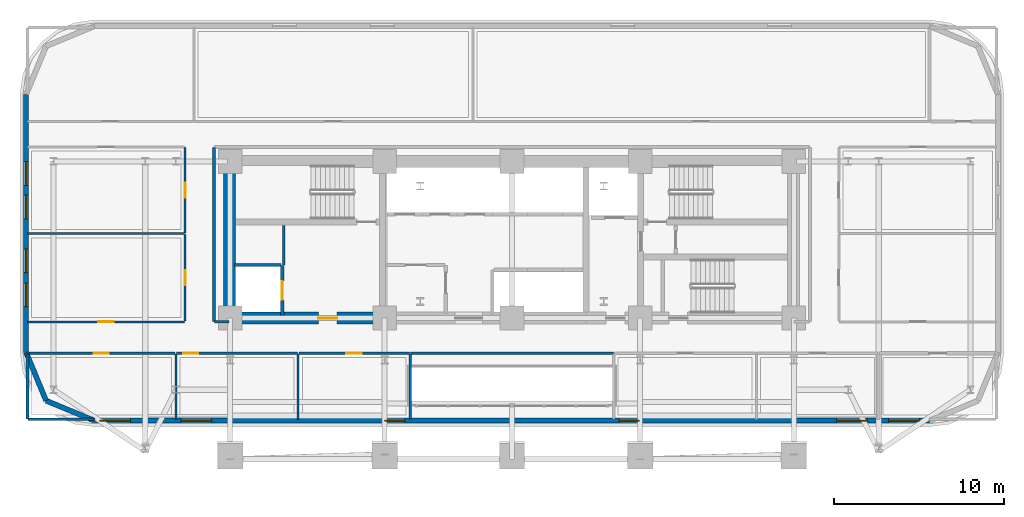
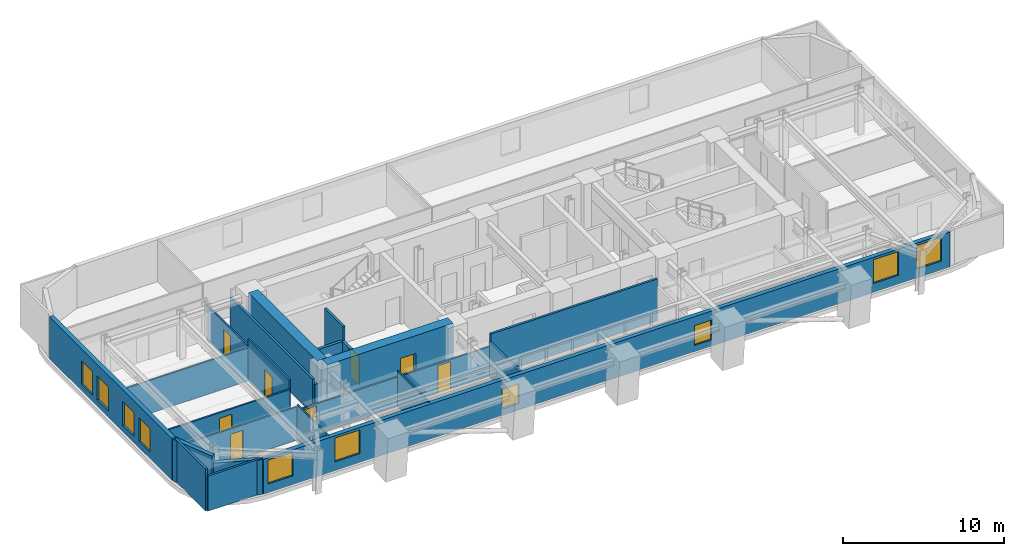
# One storey, part 7 of 15: 24 walls, 10 windows, 8 doors, 18 openings.
"""IFC4 building model written with IfcOpenShell, lengths in metres."""

from ifc_helpers import new_model, si_unit, direction, frame, frame_2d, origin, place, context, subcontext, project, spatial, rectangle, extrude, material, layer, layer_set, type_object, element, fill, save


model = new_model("IFC4")

# Units and contexts
model_context = context("Model", 3, precision=1e-05, world=origin(), true_north=direction((0.0, 1.0)))
body_context = subcontext(model_context, "Body", "Model", "MODEL_VIEW")
ifc_project = project(units=[si_unit("LENGTHUNIT", "METRE"), si_unit("AREAUNIT", "SQUARE_METRE"), si_unit("VOLUMEUNIT", "CUBIC_METRE"), si_unit("PLANEANGLEUNIT", "RADIAN"), si_unit("MASSUNIT", "GRAM", prefix="KILO")], contexts=[model_context])

# Site, building, storey
site_placement = place(None, origin())
site = spatial("IfcSite", under=ifc_project, at=site_placement, CompositionType="ELEMENT")
building_placement = place(site_placement, origin())
building = spatial("IfcBuilding", under=site, at=building_placement, Name="Zarnavel Station Tower", CompositionType="ELEMENT")
storey_placement = place(building_placement, frame((0.0, 0.0, 71.0)))
storey = spatial("IfcBuildingStorey", under=building, at=storey_placement, Name="L19", CompositionType="ELEMENT", Elevation=71.0)

# Wall, opening, door
ifc_material_1 = material(Name="Concrete C60/75", Category="concrete")
ifc_layer_1 = layer(ifc_material_1, 0.699951171875)
ifc_layer_set_1 = layer_set([ifc_layer_1], Name="CW_700")
wall_type_1 = type_object("IfcWallType", Name="CW_700", PredefinedType="SHEAR", material=ifc_layer_set_1)
wall_1_placement = place(storey_placement, frame((21.179931640625, 27.820068359375, 0.0), z_axis=(0.0, 0.0, 1.0), x_axis=(-1.0, 0.0, 0.0)))
wall_1 = element("IfcWall", 1, at=wall_1_placement, inside=storey, type_object=wall_type_1, Name="L19 Rear Core Shear Wall S-W", PredefinedType="SHEAR", context=body_context, shape_type="SweptSolid", body=[
    extrude(rectangle(XDim=9.030029296875, YDim=0.699951171875, at=frame_2d((4.51513671875, 0.0))), origin(), (0.0, 0.0, 1.0), 3.5),
])
opening_1_placement = place(wall_1_placement, frame((2.679931640625, 0.0, 0.0)))
opening_1 = element("IfcOpeningElement", 2, at=opening_1_placement, cuts=wall_1, Name="Opening FD01", PredefinedType="OPENING", context=body_context, shape_type="SweptSolid", body=[
    extrude(rectangle(XDim=1.10009765625, YDim=2.14990234375, at=frame_2d((0.550048828125, 1.074951171875))), frame((0.0, 0.35986328125, 0.0), z_axis=(0.0, -1.0, 0.0), x_axis=(1.0, 0.0, 0.0)), (0.0, 0.0, 1.0), 0.719970703125),
])
ifc_material_2 = material(Name="Painted Galvanised Steel and Hardwood Leaf", Category="steel")
door_type_1 = type_object("IfcDoorType", Name="ID_STAIR_1100", OperationType="NOTDEFINED", PredefinedType="DOOR", material=ifc_material_2)
door_1_placement = place(opening_1_placement, origin())
door_1 = element("IfcDoor", 3, at=door_1_placement, inside=storey, type_object=door_type_1, Name="L19 West Firefighting Lobby Door", OperationType="SINGLE_SWING_RIGHT", OverallHeight=2.14990234375, OverallWidth=1.10009765625, PredefinedType="DOOR", context=body_context, shape_type="SweptSolid", body=[
    extrude(rectangle(XDim=1.10009765625, YDim=2.14990234375, at=frame_2d((0.550048828125, 1.074951171875))), frame((0.0, 0.02490234375, 0.0), z_axis=(0.0, -1.0, 0.0), x_axis=(1.0, 0.0, 0.0)), (0.0, 0.0, 1.0), 0.050048828125),
])
fill(opening_1, door_1)

# Wall
wall_2_placement = place(storey_placement, frame((12.14990234375, 28.169921875, 0.0), z_axis=(0.0, 0.0, 1.0), x_axis=(0.0, 1.0, 0.0)))
element("IfcWall", 4, at=wall_2_placement, inside=storey, type_object=wall_type_1, Name="L19 Rear Core Shear Wall W", PredefinedType="SHEAR", context=body_context, shape_type="SweptSolid", body=[
    extrude(rectangle(XDim=8.530029296875, YDim=0.699951171875, at=frame_2d((4.26513671875, 0.0))), origin(), (0.0, 0.0, 1.0), 3.5),
])

# Wall, openings, windows
ifc_material_3 = material(Name="Precast concrete C45/55 (Dark Basalt Finish)", Category="masonry")
ifc_layer_2 = layer(ifc_material_3, 0.300048828125)
ifc_layer_set_2 = layer_set([ifc_layer_2], Name="EW_BASALT_300")
wall_type_2 = type_object("IfcWallType", Name="EW_BASALT_300", PredefinedType="SOLIDWALL", material=ifc_layer_set_2)
wall_3_placement = place(storey_placement, frame((0.179931640625, 25.800048828125, 0.0), z_axis=(0.0, 0.0, 1.0), x_axis=(0.0, 1.0, 0.0)))
wall_3 = element("IfcWall", 5, at=wall_3_placement, inside=storey, type_object=wall_type_2, Name="L19 Exterior Basalt Masonry Frame Wall 09", PredefinedType="SOLIDWALL", context=body_context, shape_type="SweptSolid", body=[
    extrude(rectangle(XDim=15.199951171875, YDim=0.300048828125, at=frame_2d((7.60009765625, 0.0))), origin(), (0.0, 0.0, 1.0), 3.179931640625),
])
opening_2_placement = place(wall_3_placement, frame((2.699951171875, 0.0, 0.47998046875)))
opening_2 = element("IfcOpeningElement", 6, at=opening_2_placement, cuts=wall_3, Name="Opening WN01", PredefinedType="OPENING", context=body_context, shape_type="SweptSolid", body=[
    extrude(rectangle(XDim=1.39990234375, YDim=1.800048828125, at=frame_2d((0.699951171875, 0.89990234375))), frame((0.0, 0.159912109375, 0.0), z_axis=(0.0, -1.0, 0.0), x_axis=(1.0, 0.0, 0.0)), (0.0, 0.0, 1.0), 0.320068359375),
])
opening_3_placement = place(wall_3_placement, frame((4.699951171875, 0.0, 0.47998046875)))
opening_3 = element("IfcOpeningElement", 7, at=opening_3_placement, cuts=wall_3, Name="Opening WN01", PredefinedType="OPENING", context=body_context, shape_type="SweptSolid", body=[
    extrude(rectangle(XDim=1.39990234375, YDim=1.800048828125, at=frame_2d((0.699951171875, 0.89990234375))), frame((0.0, 0.159912109375, 0.0), z_axis=(0.0, -1.0, 0.0), x_axis=(1.0, 0.0, 0.0)), (0.0, 0.0, 1.0), 0.320068359375),
])
opening_4_placement = place(wall_3_placement, frame((7.86669921875, 0.0, 0.47998046875)))
opening_4 = element("IfcOpeningElement", 8, at=opening_4_placement, cuts=wall_3, Name="Opening WN01", PredefinedType="OPENING", context=body_context, shape_type="SweptSolid", body=[
    extrude(rectangle(XDim=1.39990234375, YDim=1.800048828125, at=frame_2d((0.699951171875, 0.89990234375))), frame((0.0, 0.159912109375, 0.0), z_axis=(0.0, -1.0, 0.0), x_axis=(1.0, 0.0, 0.0)), (0.0, 0.0, 1.0), 0.320068359375),
])
opening_5_placement = place(wall_3_placement, frame((9.833251953125, 0.0, 0.47998046875)))
opening_5 = element("IfcOpeningElement", 9, at=opening_5_placement, cuts=wall_3, Name="Opening WN01", PredefinedType="OPENING", context=body_context, shape_type="SweptSolid", body=[
    extrude(rectangle(XDim=1.39990234375, YDim=1.800048828125, at=frame_2d((0.699951171875, 0.89990234375))), frame((0.0, 0.159912109375, 0.0), z_axis=(0.0, -1.0, 0.0), x_axis=(1.0, 0.0, 0.0)), (0.0, 0.0, 1.0), 0.320068359375),
])
ifc_material_4 = material(Name="Thermally Broken Black Aluminium and Low-E Dark Glass", Category="aluminium")
window_type_1 = type_object("IfcWindowType", Name="WN_1400x1800", PartitioningType="DOUBLE_PANEL_VERTICAL", PredefinedType="WINDOW", material=ifc_material_4)
window_1_placement = place(opening_2_placement, origin())
window_1 = element("IfcWindow", 10, at=window_1_placement, inside=storey, type_object=window_type_1, Name="L19 Recessed Facade Window 01", OverallHeight=1.800048828125, OverallWidth=1.39990234375, PartitioningType="SINGLE_PANEL", PredefinedType="WINDOW", context=body_context, shape_type="SweptSolid", body=[
    extrude(rectangle(XDim=1.39990234375, YDim=1.800048828125, at=frame_2d((0.699951171875, 0.89990234375))), frame((0.0, 0.030029296875, 0.0), z_axis=(0.0, -1.0, 0.0), x_axis=(1.0, 0.0, 0.0)), (0.0, 0.0, 1.0), 0.06005859375),
])
fill(opening_2, window_1)
window_2_placement = place(opening_3_placement, origin())
window_2 = element("IfcWindow", 11, at=window_2_placement, inside=storey, type_object=window_type_1, Name="L19 Recessed Facade Window 02", OverallHeight=1.800048828125, OverallWidth=1.39990234375, PartitioningType="SINGLE_PANEL", PredefinedType="WINDOW", context=body_context, shape_type="SweptSolid", body=[
    extrude(rectangle(XDim=1.39990234375, YDim=1.800048828125, at=frame_2d((0.699951171875, 0.89990234375))), frame((0.0, 0.030029296875, 0.0), z_axis=(0.0, -1.0, 0.0), x_axis=(1.0, 0.0, 0.0)), (0.0, 0.0, 1.0), 0.06005859375),
])
fill(opening_3, window_2)
window_3_placement = place(opening_4_placement, origin())
window_3 = element("IfcWindow", 12, at=window_3_placement, inside=storey, type_object=window_type_1, Name="L19 Recessed Facade Window 03", OverallHeight=1.800048828125, OverallWidth=1.39990234375, PartitioningType="SINGLE_PANEL", PredefinedType="WINDOW", context=body_context, shape_type="SweptSolid", body=[
    extrude(rectangle(XDim=1.39990234375, YDim=1.800048828125, at=frame_2d((0.699951171875, 0.89990234375))), frame((0.0, 0.030029296875, 0.0), z_axis=(0.0, -1.0, 0.0), x_axis=(1.0, 0.0, 0.0)), (0.0, 0.0, 1.0), 0.06005859375),
])
fill(opening_4, window_3)
window_4_placement = place(opening_5_placement, origin())
window_4 = element("IfcWindow", 13, at=window_4_placement, inside=storey, type_object=window_type_1, Name="L19 Recessed Facade Window 04", OverallHeight=1.800048828125, OverallWidth=1.39990234375, PartitioningType="SINGLE_PANEL", PredefinedType="WINDOW", context=body_context, shape_type="SweptSolid", body=[
    extrude(rectangle(XDim=1.39990234375, YDim=1.800048828125, at=frame_2d((0.699951171875, 0.89990234375))), frame((0.0, 0.030029296875, 0.0), z_axis=(0.0, -1.0, 0.0), x_axis=(1.0, 0.0, 0.0)), (0.0, 0.0, 1.0), 0.06005859375),
])
fill(opening_5, window_4)

# Walls
wall_4_placement = place(storey_placement, frame((1.357421875, 22.95751953125, 0.0), z_axis=(0.0, 0.0, 1.0), x_axis=(-0.382704529509, 0.923870793506, 0.0)))
element("IfcWall", 14, at=wall_4_placement, inside=storey, type_object=wall_type_2, Name="L19 Exterior Basalt Masonry Frame Wall 10", PredefinedType="SOLIDWALL", context=body_context, shape_type="SweptSolid", body=[
    extrude(rectangle(XDim=3.07666015625, YDim=0.300048828125, at=frame_2d((1.538330078125, 0.0))), origin(), (0.0, 0.0, 1.0), 3.179931640625),
])
wall_5_placement = place(storey_placement, frame((4.199951171875, 21.780029296875, 0.0), z_axis=(0.0, 0.0, 1.0), x_axis=(-0.923870793506, 0.382704529509, 0.0)))
element("IfcWall", 15, at=wall_5_placement, inside=storey, type_object=wall_type_2, Name="L19 Exterior Basalt Masonry Frame Wall 11", PredefinedType="SOLIDWALL", context=body_context, shape_type="SweptSolid", body=[
    extrude(rectangle(XDim=3.07666015625, YDim=0.300048828125, at=frame_2d((1.538330078125, 0.0))), origin(), (0.0, 0.0, 1.0), 2.659912109375),
])

# Wall, openings, windows
wall_6_placement = place(storey_placement, frame((53.39990234375, 21.780029296875, 0.0), z_axis=(0.0, 0.0, 1.0), x_axis=(-1.0, 0.0, 0.0)))
wall_6 = element("IfcWall", 16, at=wall_6_placement, inside=storey, type_object=wall_type_2, Name="L19 Exterior Basalt Masonry Frame Wall 12", PredefinedType="SOLIDWALL", context=body_context, shape_type="SweptSolid", body=[
    extrude(rectangle(XDim=49.199951171875, YDim=0.300048828125, at=frame_2d((24.60009765625, 0.0))), origin(), (0.0, 0.0, 1.0), 2.659912109375),
])
opening_6_placement = place(wall_6_placement, frame((47.080078125, 0.0, 0.679931640625)))
opening_6 = element("IfcOpeningElement", 17, at=opening_6_placement, cuts=wall_6, Name="Opening WN02", PredefinedType="OPENING", context=body_context, shape_type="SweptSolid", body=[
    extrude(rectangle(XDim=1.800048828125, YDim=1.800048828125, at=frame_2d((0.89990234375, 0.89990234375))), frame((0.0, 0.159912109375, 0.0), z_axis=(0.0, -1.0, 0.0), x_axis=(1.0, 0.0, 0.0)), (0.0, 0.0, 1.0), 0.320068359375),
])
opening_7_placement = place(wall_6_placement, frame((42.300048828125, 0.0, 0.679931640625)))
opening_7 = element("IfcOpeningElement", 18, at=opening_7_placement, cuts=wall_6, Name="Opening WN02", PredefinedType="OPENING", context=body_context, shape_type="SweptSolid", body=[
    extrude(rectangle(XDim=1.800048828125, YDim=1.800048828125, at=frame_2d((0.89990234375, 0.89990234375))), frame((0.0, 0.159912109375, 0.0), z_axis=(0.0, -1.0, 0.0), x_axis=(1.0, 0.0, 0.0)), (0.0, 0.0, 1.0), 0.320068359375),
])
opening_8_placement = place(wall_6_placement, frame((30.89990234375, 0.0, 0.47998046875)))
opening_8 = element("IfcOpeningElement", 19, at=opening_8_placement, cuts=wall_6, Name="Opening WN08", PredefinedType="OPENING", context=body_context, shape_type="SweptSolid", body=[
    extrude(rectangle(XDim=1.199951171875, YDim=1.5, at=frame_2d((0.60009765625, 0.75))), frame((0.0, 0.159912109375, 0.0), z_axis=(0.0, -1.0, 0.0), x_axis=(1.0, 0.0, 0.0)), (0.0, 0.0, 1.0), 0.320068359375),
])
opening_9_placement = place(wall_6_placement, frame((17.10009765625, 0.0, 0.47998046875)))
opening_9 = element("IfcOpeningElement", 20, at=opening_9_placement, cuts=wall_6, Name="Opening WN08", PredefinedType="OPENING", context=body_context, shape_type="SweptSolid", body=[
    extrude(rectangle(XDim=1.199951171875, YDim=1.5, at=frame_2d((0.60009765625, 0.75))), frame((0.0, 0.159912109375, 0.0), z_axis=(0.0, -1.0, 0.0), x_axis=(1.0, 0.0, 0.0)), (0.0, 0.0, 1.0), 0.320068359375),
])
opening_10_placement = place(wall_6_placement, frame((3.68408203125, 0.0, 0.679931640625)))
opening_10 = element("IfcOpeningElement", 21, at=opening_10_placement, cuts=wall_6, Name="Opening WN02", PredefinedType="OPENING", context=body_context, shape_type="SweptSolid", body=[
    extrude(rectangle(XDim=1.800048828125, YDim=1.800048828125, at=frame_2d((0.89990234375, 0.89990234375))), frame((0.0, 0.159912109375, 0.0), z_axis=(0.0, -1.0, 0.0), x_axis=(1.0, 0.0, 0.0)), (0.0, 0.0, 1.0), 0.320068359375),
])
opening_11_placement = place(wall_6_placement, frame((0.610107421875, 0.0, 0.679931640625)))
opening_11 = element("IfcOpeningElement", 22, at=opening_11_placement, cuts=wall_6, Name="Opening WN02", PredefinedType="OPENING", context=body_context, shape_type="SweptSolid", body=[
    extrude(rectangle(XDim=1.800048828125, YDim=1.800048828125, at=frame_2d((0.89990234375, 0.89990234375))), frame((0.0, 0.159912109375, 0.0), z_axis=(0.0, -1.0, 0.0), x_axis=(1.0, 0.0, 0.0)), (0.0, 0.0, 1.0), 0.320068359375),
])
ifc_material_5 = material(Name="Thermally Broken Black Aluminium and Low-E Dark Glass", Category="aluminium")
window_type_2 = type_object("IfcWindowType", Name="WN_1200x1500", PartitioningType="SINGLE_PANEL", PredefinedType="WINDOW", material=ifc_material_5)
window_5_placement = place(opening_8_placement, origin())
window_5 = element("IfcWindow", 23, at=window_5_placement, inside=storey, type_object=window_type_2, Name="L19 Recessed Facade Window 03", OverallHeight=1.5, OverallWidth=1.199951171875, PartitioningType="SINGLE_PANEL", PredefinedType="WINDOW", context=body_context, shape_type="SweptSolid", body=[
    extrude(rectangle(XDim=1.199951171875, YDim=1.5, at=frame_2d((0.60009765625, 0.75))), frame((0.0, 0.030029296875, 0.0), z_axis=(0.0, -1.0, 0.0), x_axis=(1.0, 0.0, 0.0)), (0.0, 0.0, 1.0), 0.06005859375),
])
fill(opening_8, window_5)
window_6_placement = place(opening_9_placement, origin())
window_6 = element("IfcWindow", 24, at=window_6_placement, inside=storey, type_object=window_type_2, Name="L19 Recessed Facade Window 04", OverallHeight=1.5, OverallWidth=1.199951171875, PartitioningType="SINGLE_PANEL", PredefinedType="WINDOW", context=body_context, shape_type="SweptSolid", body=[
    extrude(rectangle(XDim=1.199951171875, YDim=1.5, at=frame_2d((0.60009765625, 0.75))), frame((0.0, 0.030029296875, 0.0), z_axis=(0.0, -1.0, 0.0), x_axis=(1.0, 0.0, 0.0)), (0.0, 0.0, 1.0), 0.06005859375),
])
fill(opening_9, window_6)
ifc_material_6 = material(Name="Thermally Broken Black Aluminium and Low-E Dark Glass", Category="aluminium")
window_type_3 = type_object("IfcWindowType", Name="WN_1800x1800", PartitioningType="DOUBLE_PANEL_VERTICAL", PredefinedType="WINDOW", material=ifc_material_6)
window_7_placement = place(opening_6_placement, origin())
window_7 = element("IfcWindow", 25, at=window_7_placement, inside=storey, type_object=window_type_3, Name="L19 Recessed Facade Window 01", OverallHeight=1.800048828125, OverallWidth=1.800048828125, PartitioningType="SINGLE_PANEL", PredefinedType="WINDOW", context=body_context, shape_type="SweptSolid", body=[
    extrude(rectangle(XDim=1.800048828125, YDim=1.800048828125, at=frame_2d((0.89990234375, 0.89990234375))), frame((0.0, 0.030029296875, 0.0), z_axis=(0.0, -1.0, 0.0), x_axis=(1.0, 0.0, 0.0)), (0.0, 0.0, 1.0), 0.06005859375),
])
fill(opening_6, window_7)
window_8_placement = place(opening_7_placement, origin())
window_8 = element("IfcWindow", 26, at=window_8_placement, inside=storey, type_object=window_type_3, Name="L19 Recessed Facade Window 02", OverallHeight=1.800048828125, OverallWidth=1.800048828125, PartitioningType="SINGLE_PANEL", PredefinedType="WINDOW", context=body_context, shape_type="SweptSolid", body=[
    extrude(rectangle(XDim=1.800048828125, YDim=1.800048828125, at=frame_2d((0.89990234375, 0.89990234375))), frame((0.0, 0.030029296875, 0.0), z_axis=(0.0, -1.0, 0.0), x_axis=(1.0, 0.0, 0.0)), (0.0, 0.0, 1.0), 0.06005859375),
])
fill(opening_7, window_8)
window_9_placement = place(opening_10_placement, origin())
window_9 = element("IfcWindow", 27, at=window_9_placement, inside=storey, type_object=window_type_3, Name="L19 Recessed Facade Window 05", OverallHeight=1.800048828125, OverallWidth=1.800048828125, PartitioningType="SINGLE_PANEL", PredefinedType="WINDOW", context=body_context, shape_type="SweptSolid", body=[
    extrude(rectangle(XDim=1.800048828125, YDim=1.800048828125, at=frame_2d((0.89990234375, 0.89990234375))), frame((0.0, 0.030029296875, 0.0), z_axis=(0.0, -1.0, 0.0), x_axis=(1.0, 0.0, 0.0)), (0.0, 0.0, 1.0), 0.06005859375),
])
fill(opening_10, window_9)
window_10_placement = place(opening_11_placement, origin())
window_10 = element("IfcWindow", 28, at=window_10_placement, inside=storey, type_object=window_type_3, Name="L19 Recessed Facade Window 06", OverallHeight=1.800048828125, OverallWidth=1.800048828125, PartitioningType="SINGLE_PANEL", PredefinedType="WINDOW", context=body_context, shape_type="SweptSolid", body=[
    extrude(rectangle(XDim=1.800048828125, YDim=1.800048828125, at=frame_2d((0.89990234375, 0.89990234375))), frame((0.0, 0.030029296875, 0.0), z_axis=(0.0, -1.0, 0.0), x_axis=(1.0, 0.0, 0.0)), (0.0, 0.0, 1.0), 0.06005859375),
])
fill(opening_11, window_10)

# Walls
ifc_material_7 = material(Name="Gypsum Twin-Stud Acoustic Fire Partition", Category="concrete")
ifc_layer_3 = layer(ifc_material_7, 0.159912109375)
ifc_layer_set_3 = layer_set([ifc_layer_3], Name="PT_DEMISE_160")
wall_type_3 = type_object("IfcWallType", Name="PT_DEMISE_160", PredefinedType="PARTITIONING", material=ifc_layer_set_3)
wall_7_placement = place(storey_placement, frame((15.35009765625, 30.9599609375, 0.0), z_axis=(0.0, 0.0, 1.0), x_axis=(0.0, 1.0, 0.0)))
element("IfcWall", 29, at=wall_7_placement, inside=storey, type_object=wall_type_3, Name="L19 Enclosure Wall FFL1", PredefinedType="PARTITIONING", context=body_context, shape_type="SweptSolid", body=[
    extrude(rectangle(XDim=2.31005859375, YDim=0.159912109375, at=frame_2d((1.155029296875, 0.0))), origin(), (0.0, 0.0, 1.0), 3.179931640625),
])
wall_8_placement = place(storey_placement, frame((22.830078125, 25.75, 0.0), z_axis=(0.0, 0.0, 1.0), x_axis=(1.0, 0.0, 0.0)))
element("IfcWall", 30, at=wall_8_placement, inside=storey, type_object=wall_type_3, Name="L19 Enclosure Wall COR-S", PredefinedType="PARTITIONING", context=body_context, shape_type="SweptSolid", body=[
    extrude(rectangle(XDim=11.93994140625, YDim=0.159912109375, at=frame_2d((5.969970703125, 0.0))), origin(), (0.0, 0.0, 1.0), 3.179931640625),
])
wall_9_placement = place(storey_placement, frame((11.280029296875, 27.60009765625, 0.0), z_axis=(0.0, 0.0, 1.0), x_axis=(1.0, 0.0, 0.0)))
element("IfcWall", 31, at=wall_9_placement, inside=storey, type_object=wall_type_3, Name="L19 Enclosure Wall COR-S", PredefinedType="PARTITIONING", context=body_context, shape_type="SweptSolid", body=[
    extrude(rectangle(XDim=0.840087890625, YDim=0.159912109375, at=frame_2d((0.419921875, 0.0))), origin(), (0.0, 0.0, 1.0), 2.280029296875),
])
wall_10_placement = place(storey_placement, frame((11.25, 27.6298828125, 0.0), z_axis=(0.0, 0.0, 1.0), x_axis=(0.0, 1.0, 0.0)))
element("IfcWall", 32, at=wall_10_placement, inside=storey, type_object=wall_type_3, Name="L19 Enclosure Wall COR-W", PredefinedType="PARTITIONING", context=body_context, shape_type="SweptSolid", body=[
    extrude(rectangle(XDim=10.240234375, YDim=0.159912109375, at=frame_2d((5.1201171875, 0.0))), origin(), (0.0, 0.0, 1.0), 2.659912109375),
])
wall_11_placement = place(storey_placement, frame((0.2900390625, 21.860107421875, 0.0), z_axis=(0.0, 0.0, 1.0), x_axis=(1.0, 0.0, 0.0)))
element("IfcWall", 33, at=wall_11_placement, inside=storey, type_object=wall_type_3, Name="L19 Enclosure Wall Z1SPA", PredefinedType="PARTITIONING", context=body_context, shape_type="SweptSolid", body=[
    extrude(rectangle(XDim=3.8798828125, YDim=0.159912109375, at=frame_2d((1.93994140625, 0.0))), origin(), (0.0, 0.0, 1.0), 2.659912109375),
])
wall_12_placement = place(storey_placement, frame((0.260009765625, 21.889892578125, 0.0), z_axis=(0.0, 0.0, 1.0), x_axis=(0.0, 1.0, 0.0)))
element("IfcWall", 34, at=wall_12_placement, inside=storey, type_object=wall_type_3, Name="L19 Enclosure Wall Z1SPA", PredefinedType="PARTITIONING", context=body_context, shape_type="SweptSolid", body=[
    extrude(rectangle(XDim=3.830078125, YDim=0.159912109375, at=frame_2d((1.9150390625, 0.0))), origin(), (0.0, 0.0, 1.0), 3.179931640625),
])
wall_13_placement = place(storey_placement, frame((22.800048828125, 21.889892578125, 0.0), z_axis=(0.0, 0.0, 1.0), x_axis=(0.0, 1.0, 0.0)))
element("IfcWall", 35, at=wall_13_placement, inside=storey, type_object=wall_type_3, Name="L19 Enclosure Wall Z1GYM2", PredefinedType="PARTITIONING", context=body_context, shape_type="SweptSolid", body=[
    extrude(rectangle(XDim=3.830078125, YDim=0.159912109375, at=frame_2d((1.9150390625, 0.0))), origin(), (0.0, 0.0, 1.0), 2.6201171875),
])

# Wall, opening, door
ifc_material_8 = material(Name="Gypsum Metal-Stud Interior Partition", Category="concrete")
ifc_layer_4 = layer(ifc_material_8, 0.1201171875)
ifc_layer_set_4 = layer_set([ifc_layer_4], Name="PT_ROOM_120")
wall_type_4 = type_object("IfcWallType", Name="PT_ROOM_120", PredefinedType="PARTITIONING", material=ifc_layer_set_4)
wall_14_placement = place(storey_placement, frame((0.260009765625, 27.60009765625, 0.0), z_axis=(0.0, 0.0, 1.0), x_axis=(1.0, 0.0, 0.0)))
wall_14 = element("IfcWall", 36, at=wall_14_placement, inside=storey, type_object=wall_type_4, Name="L19 Partition COR-S-FNW6A", PredefinedType="PARTITIONING", context=body_context, shape_type="SweptSolid", body=[
    extrude(rectangle(XDim=9.25, YDim=0.1201171875, at=frame_2d((4.625, 0.0))), origin(), (0.0, 0.0, 1.0), 2.510009765625),
])
opening_12_placement = place(wall_14_placement, frame((4.175048828125, 0.0, 0.0)))
opening_12 = element("IfcOpeningElement", 37, at=opening_12_placement, cuts=wall_14, Name="Opening ID01", PredefinedType="OPENING", context=body_context, shape_type="SweptSolid", body=[
    extrude(rectangle(XDim=0.89990234375, YDim=2.10009765625, at=frame_2d((0.449951171875, 1.050048828125))), frame((0.0, 0.070068359375, 0.0), z_axis=(0.0, -1.0, 0.0), x_axis=(1.0, 0.0, 0.0)), (0.0, 0.0, 1.0), 0.14013671875),
])
ifc_material_9 = material(Name="Painted Galvanised Steel and Hardwood Leaf", Category="steel")
door_type_2 = type_object("IfcDoorType", Name="ID_ROOM_900", OperationType="NOTDEFINED", PredefinedType="DOOR", material=ifc_material_9)
door_2_placement = place(opening_12_placement, origin())
door_2 = element("IfcDoor", 38, at=door_2_placement, inside=storey, type_object=door_type_2, Name="L19 Door COR-S-FNW6A", OperationType="SINGLE_SWING_RIGHT", OverallHeight=2.10009765625, OverallWidth=0.89990234375, PredefinedType="DOOR", context=body_context, shape_type="SweptSolid", body=[
    extrude(rectangle(XDim=0.89990234375, YDim=2.10009765625, at=frame_2d((0.449951171875, 1.050048828125))), frame((0.0, 0.02490234375, 0.0), z_axis=(0.0, -1.0, 0.0), x_axis=(1.0, 0.0, 0.0)), (0.0, 0.0, 1.0), 0.050048828125),
])
fill(opening_12, door_2)

wall_15_placement = place(storey_placement, frame((0.260009765625, 25.75, 0.0), z_axis=(0.0, 0.0, 1.0), x_axis=(1.0, 0.0, 0.0)))
wall_15 = element("IfcWall", 39, at=wall_15_placement, inside=storey, type_object=wall_type_4, Name="L19 Partition COR-S-Z1SPA", PredefinedType="PARTITIONING", context=body_context, shape_type="SweptSolid", body=[
    extrude(rectangle(XDim=8.699951171875, YDim=0.1201171875, at=frame_2d((4.35009765625, 0.0))), origin(), (0.0, 0.0, 1.0), 2.510009765625),
])
opening_13_placement = place(wall_15_placement, frame((3.89990234375, 0.0, 0.0)))
opening_13 = element("IfcOpeningElement", 40, at=opening_13_placement, cuts=wall_15, Name="Opening ID01", PredefinedType="OPENING", context=body_context, shape_type="SweptSolid", body=[
    extrude(rectangle(XDim=0.89990234375, YDim=2.10009765625, at=frame_2d((0.449951171875, 1.050048828125))), frame((0.0, 0.070068359375, 0.0), z_axis=(0.0, -1.0, 0.0), x_axis=(1.0, 0.0, 0.0)), (0.0, 0.0, 1.0), 0.14013671875),
])
door_3_placement = place(opening_13_placement, origin())
door_3 = element("IfcDoor", 41, at=door_3_placement, inside=storey, type_object=door_type_2, Name="L19 Door COR-S-Z1SPA", OperationType="SINGLE_SWING_RIGHT", OverallHeight=2.10009765625, OverallWidth=0.89990234375, PredefinedType="DOOR", context=body_context, shape_type="SweptSolid", body=[
    extrude(rectangle(XDim=0.89990234375, YDim=2.10009765625, at=frame_2d((0.449951171875, 1.050048828125))), frame((0.0, 0.02490234375, 0.0), z_axis=(0.0, -1.0, 0.0), x_axis=(1.0, 0.0, 0.0)), (0.0, 0.0, 1.0), 0.050048828125),
])
fill(opening_13, door_3)

wall_16_placement = place(storey_placement, frame((9.0400390625, 25.75, 0.0), z_axis=(0.0, 0.0, 1.0), x_axis=(1.0, 0.0, 0.0)))
wall_16 = element("IfcWall", 42, at=wall_16_placement, inside=storey, type_object=wall_type_4, Name="L19 Partition COR-S-Z1TRM", PredefinedType="PARTITIONING", context=body_context, shape_type="SweptSolid", body=[
    extrude(rectangle(XDim=7.119873046875, YDim=0.1201171875, at=frame_2d((3.56005859375, 0.0))), origin(), (0.0, 0.0, 1.0), 2.25),
])
opening_14_placement = place(wall_16_placement, frame((0.387451171875, 0.0, 0.0)))
opening_14 = element("IfcOpeningElement", 43, at=opening_14_placement, cuts=wall_16, Name="Opening ID01", PredefinedType="OPENING", context=body_context, shape_type="SweptSolid", body=[
    extrude(rectangle(XDim=0.89990234375, YDim=2.10009765625, at=frame_2d((0.449951171875, 1.050048828125))), frame((0.0, 0.070068359375, 0.0), z_axis=(0.0, -1.0, 0.0), x_axis=(1.0, 0.0, 0.0)), (0.0, 0.0, 1.0), 0.14013671875),
])
door_4_placement = place(opening_14_placement, origin())
door_4 = element("IfcDoor", 44, at=door_4_placement, inside=storey, type_object=door_type_2, Name="L19 Door COR-S-Z1TRM", OperationType="SINGLE_SWING_LEFT", OverallHeight=2.10009765625, OverallWidth=0.89990234375, PredefinedType="DOOR", context=body_context, shape_type="SweptSolid", body=[
    extrude(rectangle(XDim=0.89990234375, YDim=2.10009765625, at=frame_2d((0.449951171875, 1.050048828125))), frame((0.0, 0.02490234375, 0.0), z_axis=(0.0, -1.0, 0.0), x_axis=(1.0, 0.0, 0.0)), (0.0, 0.0, 1.0), 0.050048828125),
])
fill(opening_14, door_4)

wall_17_placement = place(storey_placement, frame((16.239990234375, 25.75, 0.0), z_axis=(0.0, 0.0, 1.0), x_axis=(1.0, 0.0, 0.0)))
wall_17 = element("IfcWall", 45, at=wall_17_placement, inside=storey, type_object=wall_type_4, Name="L19 Partition COR-S-Z1GYM2", PredefinedType="PARTITIONING", context=body_context, shape_type="SweptSolid", body=[
    extrude(rectangle(XDim=6.52001953125, YDim=0.1201171875, at=frame_2d((3.260009765625, 0.0))), origin(), (0.0, 0.0, 1.0), 2.25),
])
opening_15_placement = place(wall_17_placement, frame((2.81005859375, 0.0, 0.0)))
opening_15 = element("IfcOpeningElement", 46, at=opening_15_placement, cuts=wall_17, Name="Opening ID01", PredefinedType="OPENING", context=body_context, shape_type="SweptSolid", body=[
    extrude(rectangle(XDim=0.89990234375, YDim=2.10009765625, at=frame_2d((0.449951171875, 1.050048828125))), frame((0.0, 0.070068359375, 0.0), z_axis=(0.0, -1.0, 0.0), x_axis=(1.0, 0.0, 0.0)), (0.0, 0.0, 1.0), 0.14013671875),
])
door_5_placement = place(opening_15_placement, origin())
door_5 = element("IfcDoor", 47, at=door_5_placement, inside=storey, type_object=door_type_2, Name="L19 Door COR-S-Z1GYM2", OperationType="SINGLE_SWING_RIGHT", OverallHeight=2.10009765625, OverallWidth=0.89990234375, PredefinedType="DOOR", context=body_context, shape_type="SweptSolid", body=[
    extrude(rectangle(XDim=0.89990234375, YDim=2.10009765625, at=frame_2d((0.449951171875, 1.050048828125))), frame((0.0, 0.02490234375, 0.0), z_axis=(0.0, -1.0, 0.0), x_axis=(1.0, 0.0, 0.0)), (0.0, 0.0, 1.0), 0.050048828125),
])
fill(opening_15, door_5)

wall_18_placement = place(storey_placement, frame((9.550048828125, 27.639892578125, 0.0), z_axis=(0.0, 0.0, 1.0), x_axis=(0.0, 1.0, 0.0)))
wall_18 = element("IfcWall", 48, at=wall_18_placement, inside=storey, type_object=wall_type_4, Name="L19 Partition COR-W-FNW6A", PredefinedType="PARTITIONING", context=body_context, shape_type="SweptSolid", body=[
    extrude(rectangle(XDim=5.1201171875, YDim=0.1201171875, at=frame_2d((2.56005859375, 0.0))), origin(), (0.0, 0.0, 1.0), 3.179931640625),
])
opening_16_placement = place(wall_18_placement, frame((2.110107421875, 0.0, 0.0)))
opening_16 = element("IfcOpeningElement", 49, at=opening_16_placement, cuts=wall_18, Name="Opening ID01", PredefinedType="OPENING", context=body_context, shape_type="SweptSolid", body=[
    extrude(rectangle(XDim=0.89990234375, YDim=2.10009765625, at=frame_2d((0.449951171875, 1.050048828125))), frame((0.0, 0.070068359375, 0.0), z_axis=(0.0, -1.0, 0.0), x_axis=(1.0, 0.0, 0.0)), (0.0, 0.0, 1.0), 0.14013671875),
])
door_6_placement = place(opening_16_placement, origin())
door_6 = element("IfcDoor", 50, at=door_6_placement, inside=storey, type_object=door_type_2, Name="L19 Door COR-W-FNW6A", OperationType="SINGLE_SWING_RIGHT", OverallHeight=2.10009765625, OverallWidth=0.89990234375, PredefinedType="DOOR", context=body_context, shape_type="SweptSolid", body=[
    extrude(rectangle(XDim=0.89990234375, YDim=2.10009765625, at=frame_2d((0.449951171875, 1.050048828125))), frame((0.0, 0.02490234375, 0.0), z_axis=(0.0, -1.0, 0.0), x_axis=(1.0, 0.0, 0.0)), (0.0, 0.0, 1.0), 0.050048828125),
])
fill(opening_16, door_6)

wall_19_placement = place(storey_placement, frame((9.550048828125, 32.840087890625, 0.0), z_axis=(0.0, 0.0, 1.0), x_axis=(0.0, 1.0, 0.0)))
wall_19 = element("IfcWall", 51, at=wall_19_placement, inside=storey, type_object=wall_type_4, Name="L19 Partition COR-W-FNW6B", PredefinedType="PARTITIONING", context=body_context, shape_type="SweptSolid", body=[
    extrude(rectangle(XDim=5.02001953125, YDim=0.1201171875, at=frame_2d((2.510009765625, 0.0))), origin(), (0.0, 0.0, 1.0), 2.659912109375),
])
opening_17_placement = place(wall_19_placement, frame((2.06005859375, 0.0, 0.0)))
opening_17 = element("IfcOpeningElement", 52, at=opening_17_placement, cuts=wall_19, Name="Opening ID01", PredefinedType="OPENING", context=body_context, shape_type="SweptSolid", body=[
    extrude(rectangle(XDim=0.89990234375, YDim=2.10009765625, at=frame_2d((0.449951171875, 1.050048828125))), frame((0.0, 0.070068359375, 0.0), z_axis=(0.0, -1.0, 0.0), x_axis=(1.0, 0.0, 0.0)), (0.0, 0.0, 1.0), 0.14013671875),
])
door_7_placement = place(opening_17_placement, origin())
door_7 = element("IfcDoor", 53, at=door_7_placement, inside=storey, type_object=door_type_2, Name="L19 Door COR-W-FNW6B", OperationType="SINGLE_SWING_LEFT", OverallHeight=2.10009765625, OverallWidth=0.89990234375, PredefinedType="DOOR", context=body_context, shape_type="SweptSolid", body=[
    extrude(rectangle(XDim=0.89990234375, YDim=2.10009765625, at=frame_2d((0.449951171875, 1.050048828125))), frame((0.0, 0.02490234375, 0.0), z_axis=(0.0, -1.0, 0.0), x_axis=(1.0, 0.0, 0.0)), (0.0, 0.0, 1.0), 0.050048828125),
])
fill(opening_17, door_7)

# Walls
wall_20_placement = place(storey_placement, frame((0.260009765625, 32.800048828125, 0.0), z_axis=(0.0, 0.0, 1.0), x_axis=(1.0, 0.0, 0.0)))
element("IfcWall", 54, at=wall_20_placement, inside=storey, type_object=wall_type_4, Name="L19 Partition FNW6A-FNW6B", PredefinedType="PARTITIONING", context=body_context, shape_type="SweptSolid", body=[
    extrude(rectangle(XDim=9.25, YDim=0.1201171875, at=frame_2d((4.625, 0.0))), origin(), (0.0, 0.0, 1.0), 2.510009765625),
])
wall_21_placement = place(storey_placement, frame((9.0, 21.860107421875, 0.0), z_axis=(0.0, 0.0, 1.0), x_axis=(0.0, 1.0, 0.0)))
element("IfcWall", 55, at=wall_21_placement, inside=storey, type_object=wall_type_4, Name="L19 Partition Z1SPA-Z1TRM", PredefinedType="PARTITIONING", context=body_context, shape_type="SweptSolid", body=[
    extrude(rectangle(XDim=3.849853515625, YDim=0.1201171875, at=frame_2d((1.9248046875, 0.0))), origin(), (0.0, 0.0, 1.0), 2.659912109375),
])
wall_22_placement = place(storey_placement, frame((16.199951171875, 21.860107421875, 0.0), z_axis=(0.0, 0.0, 1.0), x_axis=(0.0, 1.0, 0.0)))
element("IfcWall", 56, at=wall_22_placement, inside=storey, type_object=wall_type_4, Name="L19 Partition Z1TRM-Z1GYM2", PredefinedType="PARTITIONING", context=body_context, shape_type="SweptSolid", body=[
    extrude(rectangle(XDim=3.849853515625, YDim=0.1201171875, at=frame_2d((1.9248046875, 0.0))), origin(), (0.0, 0.0, 1.0), 2.719970703125),
])

# Wall, opening, door
ifc_material_10 = material(Name="Precast concrete C45/55 (Fire Shaft Blockwork)", Category="masonry")
ifc_layer_5 = layer(ifc_material_10, 0.199951171875)
ifc_layer_set_5 = layer_set([ifc_layer_5], Name="PT_SHAFT_200")
wall_type_5 = type_object("IfcWallType", Name="PT_SHAFT_200", PredefinedType="PARTITIONING", material=ifc_layer_set_5)
wall_23_placement = place(storey_placement, frame((15.27001953125, 27.969970703125, 0.0), z_axis=(0.0, 0.0, 1.0), x_axis=(0.0, 1.0, 0.0)))
wall_23 = element("IfcWall", 57, at=wall_23_placement, inside=storey, type_object=wall_type_5, Name="L19 Lift FFL-01 Shaft Front Wall", PredefinedType="PARTITIONING", context=body_context, shape_type="SweptSolid", body=[
    extrude(rectangle(XDim=2.9599609375, YDim=0.199951171875, at=frame_2d((1.47998046875, 0.0))), origin(), (0.0, 0.0, 1.0), 2.152099609375),
])
opening_18_placement = place(wall_23_placement, frame((0.929931640625, 0.0, 0.0)))
opening_18 = element("IfcOpeningElement", 58, at=opening_18_placement, cuts=wall_23, Name="Opening LD01", PredefinedType="OPENING", context=body_context, shape_type="SweptSolid", body=[
    extrude(rectangle(XDim=1.10009765625, YDim=2.14990234375, at=frame_2d((0.550048828125, 1.074951171875))), frame((0.0, 0.10986328125, 0.0), z_axis=(0.0, -1.0, 0.0), x_axis=(1.0, 0.0, 0.0)), (0.0, 0.0, 1.0), 0.219970703125),
])
ifc_material_11 = material(Name="Painted Galvanised Steel and Hardwood Leaf", Category="steel")
door_type_3 = type_object("IfcDoorType", Name="LD_FF_1100", OperationType="DOUBLE_DOOR_SLIDING", PredefinedType="DOOR", material=ifc_material_11)
door_8_placement = place(opening_18_placement, origin())
door_8 = element("IfcDoor", 59, at=door_8_placement, inside=storey, type_object=door_type_3, Name="L19 Lift FFL-01 Sliding Landing Door", OperationType="DOUBLE_DOOR_SLIDING", OverallHeight=2.14990234375, OverallWidth=1.10009765625, PredefinedType="DOOR", context=body_context, shape_type="SweptSolid", body=[
    extrude(rectangle(XDim=1.10009765625, YDim=2.14990234375, at=frame_2d((0.550048828125, 1.074951171875))), frame((0.0, 0.02490234375, 0.0), z_axis=(0.0, -1.0, 0.0), x_axis=(1.0, 0.0, 0.0)), (0.0, 0.0, 1.0), 0.050048828125),
])
fill(opening_18, door_8)

# Wall
wall_24_placement = place(storey_placement, frame((12.449951171875, 30.949951171875, 0.0), z_axis=(0.0, 0.0, 1.0), x_axis=(1.0, 0.0, 0.0)))
element("IfcWall", 60, at=wall_24_placement, inside=storey, type_object=wall_type_5, Name="L19 Lift FFL-01 North Shaft Wall", PredefinedType="PARTITIONING", context=body_context, shape_type="SweptSolid", body=[
    extrude(rectangle(XDim=2.75, YDim=0.199951171875, at=frame_2d((1.375, 0.0))), origin(), (0.0, 0.0, 1.0), 2.152099609375),
])

save(model, "model.ifc")
